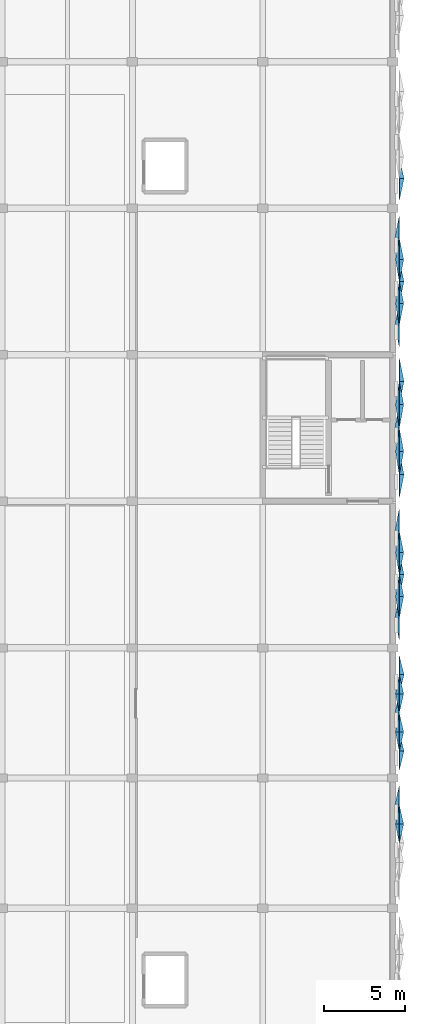
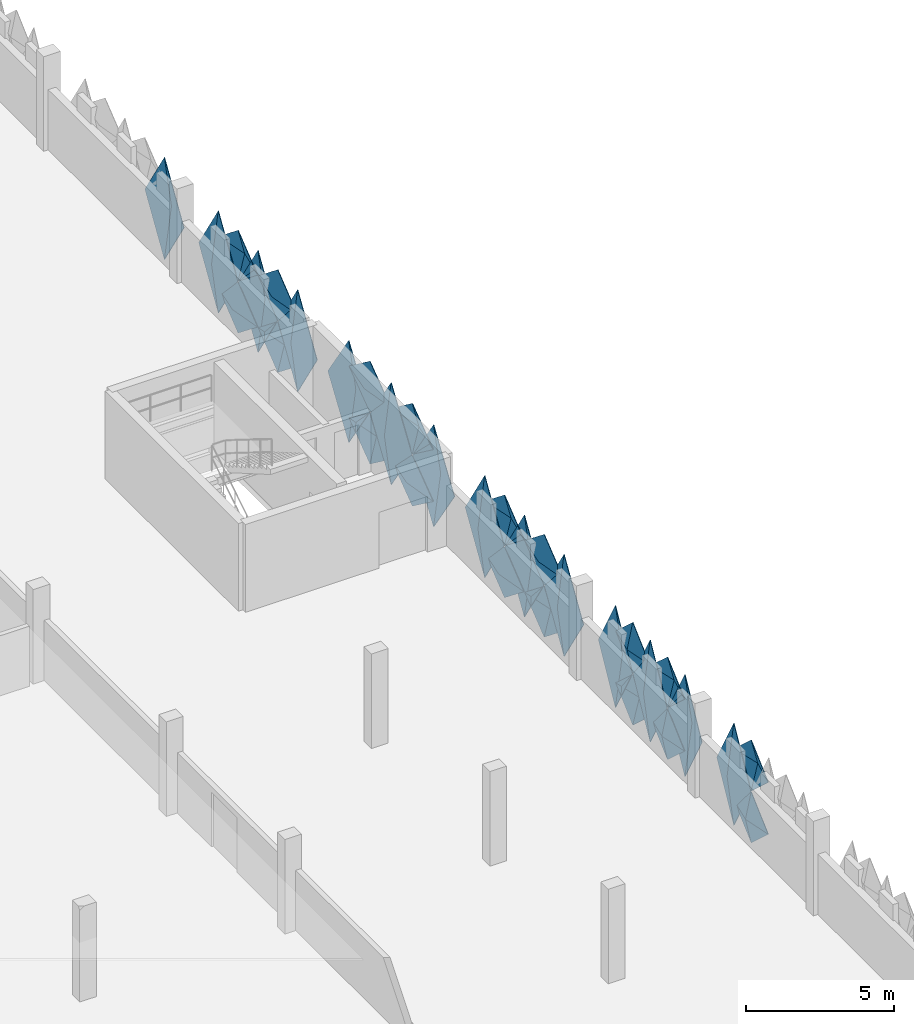
# One storey, part 61 of 76: 32 plates.
"""IFC4 building model written with IfcOpenShell, lengths in metres."""

from ifc_helpers import new_model, si_unit, derived_unit, direction, frame, origin, place, context, subcontext, project, spatial, polygons, material, layer, layer_set, type_object, element, save


model = new_model("IFC4")

# Units and contexts
model_context = context("Model", 3, precision=1e-05, world=origin(), true_north=direction((0.0, 1.0)))
body_context = subcontext(model_context, "Body", "Model", "MODEL_VIEW")
ifc_project = project(units=[si_unit("LENGTHUNIT", "METRE"), si_unit("AREAUNIT", "SQUARE_METRE"), si_unit("VOLUMEUNIT", "CUBIC_METRE"), si_unit("PLANEANGLEUNIT", "RADIAN"), si_unit("MASSUNIT", "GRAM", prefix="KILO"), si_unit("THERMODYNAMICTEMPERATUREUNIT", "KELVIN"), derived_unit("THERMALTRANSMITTANCEUNIT", [(si_unit("POWERUNIT", "WATT"), 1), (si_unit("AREAUNIT", "SQUARE_METRE"), -1), (si_unit("THERMODYNAMICTEMPERATUREUNIT", "KELVIN"), -1)])], contexts=[model_context])

# Site, building, storey
site_placement = place(None, origin())
site = spatial("IfcSite", under=ifc_project, at=site_placement, CompositionType="ELEMENT")
building_placement = place(site_placement, origin())
building = spatial("IfcBuilding", under=site, at=building_placement, Name="Haiyu Intermodal Mobility Hub", CompositionType="ELEMENT")
storey_placement = place(building_placement, frame((0.0, 0.0, 17.300048828125)))
storey = spatial("IfcBuildingStorey", under=building, at=storey_placement, Name="L04", CompositionType="ELEMENT", Elevation=17.300048828125)

# Plates
ifc_material = material(Name="Anodised aluminium 6063-T6", Category="aluminium")
ifc_layer_1 = layer(ifc_material, 0.01806640625)
ifc_layer_set_1 = layer_set([ifc_layer_1], Name="Anodised aluminium 6063-T6")
plate_type_1 = type_object("IfcPlateType", Name="PLT-FC01", PredefinedType="USERDEFINED", material=ifc_layer_set_1)
plate_1_placement = place(storey_placement, origin())
element("IfcPlate", 1, at=plate_1_placement, inside=storey, type_object=plate_type_1, Name="PLT-PYR-1288", ObjectType="FACADE CASSETTE", PredefinedType="USERDEFINED", context=body_context, shape_type="Tessellation", body=[
    polygons([(210.39990234375, 97.653076171875, -0.510009765625), (210.39990234375, 98.806884765625, 1.599853515625), (210.39990234375, 97.653076171875, 3.7099609375), (210.39990234375, 96.5, 1.599853515625), (210.679931640625, 97.653076171875, 1.599853515625), (210.3779296875, 97.653076171875, -0.510009765625), (210.3779296875, 98.806884765625, 1.599853515625), (210.3779296875, 97.653076171875, 3.7099609375), (210.3779296875, 96.5, 1.599853515625), (210.657958984375, 97.653076171875, 1.599853515625)], [[[1, 2, 5]], [[2, 3, 5]], [[3, 4, 5]], [[4, 1, 5]], [[7, 6, 10]], [[8, 7, 10]], [[9, 8, 10]], [[6, 9, 10]], [[1, 6, 7, 2]], [[2, 7, 8, 3]], [[3, 8, 9, 4]], [[4, 9, 6, 1]]], closed=True),
])
plate_2_placement = place(storey_placement, origin())
element("IfcPlate", 2, at=plate_2_placement, inside=storey, type_object=plate_type_1, Name="PLT-PYR-1292", ObjectType="FACADE CASSETTE", PredefinedType="USERDEFINED", context=body_context, shape_type="Tessellation", body=[
    polygons([(210.39990234375, 101.173095703125, -0.52001953125), (210.39990234375, 102.326904296875, 0.530029296875), (210.39990234375, 101.173095703125, 1.579833984375), (210.39990234375, 100.02001953125, 0.530029296875), (210.659912109375, 101.173095703125, 0.530029296875), (210.3779296875, 101.173095703125, -0.52001953125), (210.3779296875, 102.326904296875, 0.530029296875), (210.3779296875, 101.173095703125, 1.579833984375), (210.3779296875, 100.02001953125, 0.530029296875), (210.637939453125, 101.173095703125, 0.530029296875)], [[[1, 2, 5]], [[2, 3, 5]], [[3, 4, 5]], [[4, 1, 5]], [[7, 6, 10]], [[8, 7, 10]], [[9, 8, 10]], [[6, 9, 10]], [[1, 6, 7, 2]], [[2, 7, 8, 3]], [[3, 8, 9, 4]], [[4, 9, 6, 1]]], closed=True),
])
plate_3_placement = place(storey_placement, origin())
element("IfcPlate", 3, at=plate_3_placement, inside=storey, type_object=plate_type_1, Name="PLT-PYR-1296", ObjectType="FACADE CASSETTE", PredefinedType="USERDEFINED", context=body_context, shape_type="Tessellation", body=[
    polygons([(210.39990234375, 107.159912109375, -0.52001953125), (210.39990234375, 108.47998046875, 0.530029296875), (210.39990234375, 107.159912109375, 1.579833984375), (210.39990234375, 105.840087890625, 0.530029296875), (210.659912109375, 107.159912109375, 0.530029296875), (210.3779296875, 107.159912109375, -0.52001953125), (210.3779296875, 108.47998046875, 0.530029296875), (210.3779296875, 107.159912109375, 1.579833984375), (210.3779296875, 105.840087890625, 0.530029296875), (210.637939453125, 107.159912109375, 0.530029296875)], [[[1, 2, 5]], [[2, 3, 5]], [[3, 4, 5]], [[4, 1, 5]], [[7, 6, 10]], [[8, 7, 10]], [[9, 8, 10]], [[6, 9, 10]], [[1, 6, 7, 2]], [[2, 7, 8, 3]], [[3, 8, 9, 4]], [[4, 9, 6, 1]]], closed=True),
])
plate_4_placement = place(storey_placement, origin())
element("IfcPlate", 4, at=plate_4_placement, inside=storey, type_object=plate_type_1, Name="PLT-PYR-1303", ObjectType="FACADE CASSETTE", PredefinedType="USERDEFINED", context=body_context, shape_type="Tessellation", body=[
    polygons([(210.39990234375, 125.159912109375, -0.52001953125), (210.39990234375, 126.47998046875, 0.530029296875), (210.39990234375, 125.159912109375, 1.579833984375), (210.39990234375, 123.840087890625, 0.530029296875), (210.659912109375, 125.159912109375, 0.530029296875), (210.3779296875, 125.159912109375, -0.52001953125), (210.3779296875, 126.47998046875, 0.530029296875), (210.3779296875, 125.159912109375, 1.579833984375), (210.3779296875, 123.840087890625, 0.530029296875), (210.637939453125, 125.159912109375, 0.530029296875)], [[[1, 2, 5]], [[2, 3, 5]], [[3, 4, 5]], [[4, 1, 5]], [[7, 6, 10]], [[8, 7, 10]], [[9, 8, 10]], [[6, 9, 10]], [[1, 6, 7, 2]], [[2, 7, 8, 3]], [[3, 8, 9, 4]], [[4, 9, 6, 1]]], closed=True),
])
plate_5_placement = place(storey_placement, origin())
element("IfcPlate", 5, at=plate_5_placement, inside=storey, type_object=plate_type_1, Name="PLT-PYR-1309", ObjectType="FACADE CASSETTE", PredefinedType="USERDEFINED", context=body_context, shape_type="Tessellation", body=[
    polygons([(210.39990234375, 132.820068359375, -0.510009765625), (210.39990234375, 134.139892578125, 1.599853515625), (210.39990234375, 132.820068359375, 3.7099609375), (210.39990234375, 131.5, 1.599853515625), (210.679931640625, 132.820068359375, 1.599853515625), (210.3779296875, 132.820068359375, -0.510009765625), (210.3779296875, 134.139892578125, 1.599853515625), (210.3779296875, 132.820068359375, 3.7099609375), (210.3779296875, 131.5, 1.599853515625), (210.657958984375, 132.820068359375, 1.599853515625)], [[[1, 2, 5]], [[2, 3, 5]], [[3, 4, 5]], [[4, 1, 5]], [[7, 6, 10]], [[8, 7, 10]], [[9, 8, 10]], [[6, 9, 10]], [[1, 6, 7, 2]], [[2, 7, 8, 3]], [[3, 8, 9, 4]], [[4, 9, 6, 1]]], closed=True),
])
plate_6_placement = place(storey_placement, origin())
element("IfcPlate", 6, at=plate_6_placement, inside=storey, type_object=plate_type_1, Name="PLT-PYR-1409", ObjectType="FACADE CASSETTE", PredefinedType="USERDEFINED", context=body_context, shape_type="Tessellation", body=[
    polygons([(210.39990234375, 114.633056640625, -0.510009765625), (210.39990234375, 116.047119140625, 1.599853515625), (210.39990234375, 114.633056640625, 3.7099609375), (210.39990234375, 113.219970703125, 1.599853515625), (210.679931640625, 114.633056640625, 1.599853515625), (210.3779296875, 114.633056640625, -0.510009765625), (210.3779296875, 116.047119140625, 1.599853515625), (210.3779296875, 114.633056640625, 3.7099609375), (210.3779296875, 113.219970703125, 1.599853515625), (210.657958984375, 114.633056640625, 1.599853515625)], [[[1, 2, 5]], [[2, 3, 5]], [[3, 4, 5]], [[4, 1, 5]], [[7, 6, 10]], [[8, 7, 10]], [[9, 8, 10]], [[6, 9, 10]], [[1, 6, 7, 2]], [[2, 7, 8, 3]], [[3, 8, 9, 4]], [[4, 9, 6, 1]]], closed=True),
])
plate_7_placement = place(storey_placement, origin())
element("IfcPlate", 7, at=plate_7_placement, inside=storey, type_object=plate_type_1, Name="PLT-PYR-1413", ObjectType="FACADE CASSETTE", PredefinedType="USERDEFINED", context=body_context, shape_type="Tessellation", body=[
    polygons([(210.39990234375, 118.93310546875, -0.52001953125), (210.39990234375, 120.346923828125, 0.530029296875), (210.39990234375, 118.93310546875, 1.579833984375), (210.39990234375, 117.52001953125, 0.530029296875), (210.659912109375, 118.93310546875, 0.530029296875), (210.3779296875, 118.93310546875, -0.52001953125), (210.3779296875, 120.346923828125, 0.530029296875), (210.3779296875, 118.93310546875, 1.579833984375), (210.3779296875, 117.52001953125, 0.530029296875), (210.637939453125, 118.93310546875, 0.530029296875)], [[[1, 2, 5]], [[2, 3, 5]], [[3, 4, 5]], [[4, 1, 5]], [[7, 6, 10]], [[8, 7, 10]], [[9, 8, 10]], [[6, 9, 10]], [[1, 6, 7, 2]], [[2, 7, 8, 3]], [[3, 8, 9, 4]], [[4, 9, 6, 1]]], closed=True),
])
ifc_layer_2 = layer(ifc_material, 0.02001953125)
ifc_layer_set_2 = layer_set([ifc_layer_2], Name="Anodised aluminium 6063-T6")
plate_type_2 = type_object("IfcPlateType", Name="PLT-FC02", PredefinedType="USERDEFINED", material=ifc_layer_set_2)
plate_8_placement = place(storey_placement, origin())
element("IfcPlate", 8, at=plate_8_placement, inside=storey, type_object=plate_type_2, Name="PLT-PYR-1285", ObjectType="FACADE CASSETTE", PredefinedType="USERDEFINED", context=body_context, shape_type="Tessellation", body=[
    polygons([(210.39990234375, 93.173095703125, -0.52001953125), (210.39990234375, 94.326904296875, 0.530029296875), (210.39990234375, 93.173095703125, 1.579833984375), (210.39990234375, 92.02001953125, 0.530029296875), (210.179931640625, 93.173095703125, 0.530029296875), (210.3779296875, 93.173095703125, -0.52001953125), (210.3779296875, 94.326904296875, 0.530029296875), (210.3779296875, 93.173095703125, 1.579833984375), (210.3779296875, 92.02001953125, 0.530029296875), (210.157958984375, 93.173095703125, 0.530029296875)], [[[1, 2, 5]], [[2, 3, 5]], [[3, 4, 5]], [[4, 1, 5]], [[7, 6, 10]], [[8, 7, 10]], [[9, 8, 10]], [[6, 9, 10]], [[1, 6, 7, 2]], [[2, 7, 8, 3]], [[3, 8, 9, 4]], [[4, 9, 6, 1]]], closed=True),
])
plate_9_placement = place(storey_placement, origin())
element("IfcPlate", 9, at=plate_9_placement, inside=storey, type_object=plate_type_2, Name="PLT-PYR-1289", ObjectType="FACADE CASSETTE", PredefinedType="USERDEFINED", context=body_context, shape_type="Tessellation", body=[
    polygons([(210.39990234375, 98.826904296875, -0.52001953125), (210.39990234375, 99.97998046875, 0.530029296875), (210.39990234375, 98.826904296875, 1.579833984375), (210.39990234375, 97.673095703125, 0.530029296875), (210.179931640625, 98.826904296875, 0.530029296875), (210.3779296875, 98.826904296875, -0.52001953125), (210.3779296875, 99.97998046875, 0.530029296875), (210.3779296875, 98.826904296875, 1.579833984375), (210.3779296875, 97.673095703125, 0.530029296875), (210.157958984375, 98.826904296875, 0.530029296875)], [[[1, 2, 5]], [[2, 3, 5]], [[3, 4, 5]], [[4, 1, 5]], [[7, 6, 10]], [[8, 7, 10]], [[9, 8, 10]], [[6, 9, 10]], [[1, 6, 7, 2]], [[2, 7, 8, 3]], [[3, 8, 9, 4]], [[4, 9, 6, 1]]], closed=True),
])
plate_10_placement = place(storey_placement, origin())
element("IfcPlate", 10, at=plate_10_placement, inside=storey, type_object=plate_type_2, Name="PLT-PYR-1295", ObjectType="FACADE CASSETTE", PredefinedType="USERDEFINED", context=body_context, shape_type="Tessellation", body=[
    polygons([(210.39990234375, 105.820068359375, -0.510009765625), (210.39990234375, 107.139892578125, 1.599853515625), (210.39990234375, 105.820068359375, 3.7099609375), (210.39990234375, 104.5, 1.599853515625), (210.139892578125, 105.820068359375, 1.599853515625), (210.3779296875, 105.820068359375, -0.510009765625), (210.3779296875, 107.139892578125, 1.599853515625), (210.3779296875, 105.820068359375, 3.7099609375), (210.3779296875, 104.5, 1.599853515625), (210.117919921875, 105.820068359375, 1.599853515625)], [[[1, 2, 5]], [[2, 3, 5]], [[3, 4, 5]], [[4, 1, 5]], [[7, 6, 10]], [[8, 7, 10]], [[9, 8, 10]], [[6, 9, 10]], [[1, 6, 7, 2]], [[2, 7, 8, 3]], [[3, 8, 9, 4]], [[4, 9, 6, 1]]], closed=True),
])
plate_11_placement = place(storey_placement, origin())
element("IfcPlate", 11, at=plate_11_placement, inside=storey, type_object=plate_type_2, Name="PLT-PYR-1299", ObjectType="FACADE CASSETTE", PredefinedType="USERDEFINED", context=body_context, shape_type="Tessellation", body=[
    polygons([(210.39990234375, 109.840087890625, -0.52001953125), (210.39990234375, 111.159912109375, 0.530029296875), (210.39990234375, 109.840087890625, 1.579833984375), (210.39990234375, 108.52001953125, 0.530029296875), (210.179931640625, 109.840087890625, 0.530029296875), (210.3779296875, 109.840087890625, -0.52001953125), (210.3779296875, 111.159912109375, 0.530029296875), (210.3779296875, 109.840087890625, 1.579833984375), (210.3779296875, 108.52001953125, 0.530029296875), (210.157958984375, 109.840087890625, 0.530029296875)], [[[1, 2, 5]], [[2, 3, 5]], [[3, 4, 5]], [[4, 1, 5]], [[7, 6, 10]], [[8, 7, 10]], [[9, 8, 10]], [[6, 9, 10]], [[1, 6, 7, 2]], [[2, 7, 8, 3]], [[3, 8, 9, 4]], [[4, 9, 6, 1]]], closed=True),
])
plate_12_placement = place(storey_placement, origin())
element("IfcPlate", 12, at=plate_12_placement, inside=storey, type_object=plate_type_2, Name="PLT-PYR-1302", ObjectType="FACADE CASSETTE", PredefinedType="USERDEFINED", context=body_context, shape_type="Tessellation", body=[
    polygons([(210.39990234375, 123.820068359375, -0.510009765625), (210.39990234375, 125.139892578125, 1.599853515625), (210.39990234375, 123.820068359375, 3.7099609375), (210.39990234375, 122.5, 1.599853515625), (210.139892578125, 123.820068359375, 1.599853515625), (210.3779296875, 123.820068359375, -0.510009765625), (210.3779296875, 125.139892578125, 1.599853515625), (210.3779296875, 123.820068359375, 3.7099609375), (210.3779296875, 122.5, 1.599853515625), (210.117919921875, 123.820068359375, 1.599853515625)], [[[1, 2, 5]], [[2, 3, 5]], [[3, 4, 5]], [[4, 1, 5]], [[7, 6, 10]], [[8, 7, 10]], [[9, 8, 10]], [[6, 9, 10]], [[1, 6, 7, 2]], [[2, 7, 8, 3]], [[3, 8, 9, 4]], [[4, 9, 6, 1]]], closed=True),
])
plate_13_placement = place(storey_placement, origin())
element("IfcPlate", 13, at=plate_13_placement, inside=storey, type_object=plate_type_2, Name="PLT-PYR-1306", ObjectType="FACADE CASSETTE", PredefinedType="USERDEFINED", context=body_context, shape_type="Tessellation", body=[
    polygons([(210.39990234375, 127.840087890625, -0.52001953125), (210.39990234375, 129.159912109375, 0.530029296875), (210.39990234375, 127.840087890625, 1.579833984375), (210.39990234375, 126.52001953125, 0.530029296875), (210.179931640625, 127.840087890625, 0.530029296875), (210.3779296875, 127.840087890625, -0.52001953125), (210.3779296875, 129.159912109375, 0.530029296875), (210.3779296875, 127.840087890625, 1.579833984375), (210.3779296875, 126.52001953125, 0.530029296875), (210.157958984375, 127.840087890625, 0.530029296875)], [[[1, 2, 5]], [[2, 3, 5]], [[3, 4, 5]], [[4, 1, 5]], [[7, 6, 10]], [[8, 7, 10]], [[9, 8, 10]], [[6, 9, 10]], [[1, 6, 7, 2]], [[2, 7, 8, 3]], [[3, 8, 9, 4]], [[4, 9, 6, 1]]], closed=True),
])
plate_14_placement = place(storey_placement, origin())
element("IfcPlate", 14, at=plate_14_placement, inside=storey, type_object=plate_type_2, Name="PLT-PYR-1410", ObjectType="FACADE CASSETTE", PredefinedType="USERDEFINED", context=body_context, shape_type="Tessellation", body=[
    polygons([(210.39990234375, 116.06689453125, -0.52001953125), (210.39990234375, 117.47998046875, 0.530029296875), (210.39990234375, 116.06689453125, 1.579833984375), (210.39990234375, 114.653076171875, 0.530029296875), (210.179931640625, 116.06689453125, 0.530029296875), (210.3779296875, 116.06689453125, -0.52001953125), (210.3779296875, 117.47998046875, 0.530029296875), (210.3779296875, 116.06689453125, 1.579833984375), (210.3779296875, 114.653076171875, 0.530029296875), (210.157958984375, 116.06689453125, 0.530029296875)], [[[1, 2, 5]], [[2, 3, 5]], [[3, 4, 5]], [[4, 1, 5]], [[7, 6, 10]], [[8, 7, 10]], [[9, 8, 10]], [[6, 9, 10]], [[1, 6, 7, 2]], [[2, 7, 8, 3]], [[3, 8, 9, 4]], [[4, 9, 6, 1]]], closed=True),
])
ifc_layer_3 = layer(ifc_material, 0.01806640625)
ifc_layer_set_3 = layer_set([ifc_layer_3], Name="Anodised aluminium 6063-T6")
plate_type_3 = type_object("IfcPlateType", Name="PLT-FC03", PredefinedType="USERDEFINED", material=ifc_layer_set_3)
plate_15_placement = place(storey_placement, origin())
element("IfcPlate", 15, at=plate_15_placement, inside=storey, type_object=plate_type_3, Name="PLT-PYR-1286", ObjectType="FACADE CASSETTE", PredefinedType="USERDEFINED", context=body_context, shape_type="Tessellation", body=[
    polygons([(210.39990234375, 93.173095703125, 1.619873046875), (210.39990234375, 94.326904296875, 2.669921875), (210.39990234375, 93.173095703125, 3.719970703125), (210.39990234375, 92.02001953125, 2.669921875), (210.659912109375, 93.173095703125, 2.669921875), (210.3779296875, 93.173095703125, 1.619873046875), (210.3779296875, 94.326904296875, 2.669921875), (210.3779296875, 93.173095703125, 3.719970703125), (210.3779296875, 92.02001953125, 2.669921875), (210.637939453125, 93.173095703125, 2.669921875)], [[[1, 2, 5]], [[2, 3, 5]], [[3, 4, 5]], [[4, 1, 5]], [[7, 6, 10]], [[8, 7, 10]], [[9, 8, 10]], [[6, 9, 10]], [[1, 6, 7, 2]], [[2, 7, 8, 3]], [[3, 8, 9, 4]], [[4, 9, 6, 1]]], closed=True),
])
plate_16_placement = place(storey_placement, origin())
element("IfcPlate", 16, at=plate_16_placement, inside=storey, type_object=plate_type_3, Name="PLT-PYR-1290", ObjectType="FACADE CASSETTE", PredefinedType="USERDEFINED", context=body_context, shape_type="Tessellation", body=[
    polygons([(210.39990234375, 98.826904296875, 1.619873046875), (210.39990234375, 99.97998046875, 2.669921875), (210.39990234375, 98.826904296875, 3.719970703125), (210.39990234375, 97.673095703125, 2.669921875), (210.659912109375, 98.826904296875, 2.669921875), (210.3779296875, 98.826904296875, 1.619873046875), (210.3779296875, 99.97998046875, 2.669921875), (210.3779296875, 98.826904296875, 3.719970703125), (210.3779296875, 97.673095703125, 2.669921875), (210.637939453125, 98.826904296875, 2.669921875)], [[[1, 2, 5]], [[2, 3, 5]], [[3, 4, 5]], [[4, 1, 5]], [[7, 6, 10]], [[8, 7, 10]], [[9, 8, 10]], [[6, 9, 10]], [[1, 6, 7, 2]], [[2, 7, 8, 3]], [[3, 8, 9, 4]], [[4, 9, 6, 1]]], closed=True),
])
plate_17_placement = place(storey_placement, origin())
element("IfcPlate", 17, at=plate_17_placement, inside=storey, type_object=plate_type_3, Name="PLT-PYR-1298", ObjectType="FACADE CASSETTE", PredefinedType="USERDEFINED", context=body_context, shape_type="Tessellation", body=[
    polygons([(210.39990234375, 108.5, -0.510009765625), (210.39990234375, 109.820068359375, 1.599853515625), (210.39990234375, 108.5, 3.7099609375), (210.39990234375, 107.179931640625, 1.599853515625), (210.679931640625, 108.5, 1.599853515625), (210.3779296875, 108.5, -0.510009765625), (210.3779296875, 109.820068359375, 1.599853515625), (210.3779296875, 108.5, 3.7099609375), (210.3779296875, 107.179931640625, 1.599853515625), (210.657958984375, 108.5, 1.599853515625)], [[[1, 2, 5]], [[2, 3, 5]], [[3, 4, 5]], [[4, 1, 5]], [[7, 6, 10]], [[8, 7, 10]], [[9, 8, 10]], [[6, 9, 10]], [[1, 6, 7, 2]], [[2, 7, 8, 3]], [[3, 8, 9, 4]], [[4, 9, 6, 1]]], closed=True),
])
plate_18_placement = place(storey_placement, origin())
element("IfcPlate", 18, at=plate_18_placement, inside=storey, type_object=plate_type_3, Name="PLT-PYR-1300", ObjectType="FACADE CASSETTE", PredefinedType="USERDEFINED", context=body_context, shape_type="Tessellation", body=[
    polygons([(210.39990234375, 109.840087890625, 1.619873046875), (210.39990234375, 111.159912109375, 2.669921875), (210.39990234375, 109.840087890625, 3.719970703125), (210.39990234375, 108.52001953125, 2.669921875), (210.659912109375, 109.840087890625, 2.669921875), (210.3779296875, 109.840087890625, 1.619873046875), (210.3779296875, 111.159912109375, 2.669921875), (210.3779296875, 109.840087890625, 3.719970703125), (210.3779296875, 108.52001953125, 2.669921875), (210.637939453125, 109.840087890625, 2.669921875)], [[[1, 2, 5]], [[2, 3, 5]], [[3, 4, 5]], [[4, 1, 5]], [[7, 6, 10]], [[8, 7, 10]], [[9, 8, 10]], [[6, 9, 10]], [[1, 6, 7, 2]], [[2, 7, 8, 3]], [[3, 8, 9, 4]], [[4, 9, 6, 1]]], closed=True),
])
plate_19_placement = place(storey_placement, origin())
element("IfcPlate", 19, at=plate_19_placement, inside=storey, type_object=plate_type_3, Name="PLT-PYR-1305", ObjectType="FACADE CASSETTE", PredefinedType="USERDEFINED", context=body_context, shape_type="Tessellation", body=[
    polygons([(210.39990234375, 126.5, -0.510009765625), (210.39990234375, 127.820068359375, 1.599853515625), (210.39990234375, 126.5, 3.7099609375), (210.39990234375, 125.179931640625, 1.599853515625), (210.679931640625, 126.5, 1.599853515625), (210.3779296875, 126.5, -0.510009765625), (210.3779296875, 127.820068359375, 1.599853515625), (210.3779296875, 126.5, 3.7099609375), (210.3779296875, 125.179931640625, 1.599853515625), (210.657958984375, 126.5, 1.599853515625)], [[[1, 2, 5]], [[2, 3, 5]], [[3, 4, 5]], [[4, 1, 5]], [[7, 6, 10]], [[8, 7, 10]], [[9, 8, 10]], [[6, 9, 10]], [[1, 6, 7, 2]], [[2, 7, 8, 3]], [[3, 8, 9, 4]], [[4, 9, 6, 1]]], closed=True),
])
plate_20_placement = place(storey_placement, origin())
element("IfcPlate", 20, at=plate_20_placement, inside=storey, type_object=plate_type_3, Name="PLT-PYR-1307", ObjectType="FACADE CASSETTE", PredefinedType="USERDEFINED", context=body_context, shape_type="Tessellation", body=[
    polygons([(210.39990234375, 127.840087890625, 1.619873046875), (210.39990234375, 129.159912109375, 2.669921875), (210.39990234375, 127.840087890625, 3.719970703125), (210.39990234375, 126.52001953125, 2.669921875), (210.659912109375, 127.840087890625, 2.669921875), (210.3779296875, 127.840087890625, 1.619873046875), (210.3779296875, 129.159912109375, 2.669921875), (210.3779296875, 127.840087890625, 3.719970703125), (210.3779296875, 126.52001953125, 2.669921875), (210.637939453125, 127.840087890625, 2.669921875)], [[[1, 2, 5]], [[2, 3, 5]], [[3, 4, 5]], [[4, 1, 5]], [[7, 6, 10]], [[8, 7, 10]], [[9, 8, 10]], [[6, 9, 10]], [[1, 6, 7, 2]], [[2, 7, 8, 3]], [[3, 8, 9, 4]], [[4, 9, 6, 1]]], closed=True),
])
plate_21_placement = place(storey_placement, origin())
element("IfcPlate", 21, at=plate_21_placement, inside=storey, type_object=plate_type_3, Name="PLT-PYR-1411", ObjectType="FACADE CASSETTE", PredefinedType="USERDEFINED", context=body_context, shape_type="Tessellation", body=[
    polygons([(210.39990234375, 116.06689453125, 1.619873046875), (210.39990234375, 117.47998046875, 2.669921875), (210.39990234375, 116.06689453125, 3.719970703125), (210.39990234375, 114.653076171875, 2.669921875), (210.659912109375, 116.06689453125, 2.669921875), (210.3779296875, 116.06689453125, 1.619873046875), (210.3779296875, 117.47998046875, 2.669921875), (210.3779296875, 116.06689453125, 3.719970703125), (210.3779296875, 114.653076171875, 2.669921875), (210.637939453125, 116.06689453125, 2.669921875)], [[[1, 2, 5]], [[2, 3, 5]], [[3, 4, 5]], [[4, 1, 5]], [[7, 6, 10]], [[8, 7, 10]], [[9, 8, 10]], [[6, 9, 10]], [[1, 6, 7, 2]], [[2, 7, 8, 3]], [[3, 8, 9, 4]], [[4, 9, 6, 1]]], closed=True),
])
ifc_layer_4 = layer(ifc_material, 0.02001953125)
ifc_layer_set_4 = layer_set([ifc_layer_4], Name="Anodised aluminium 6063-T6")
plate_type_4 = type_object("IfcPlateType", Name="PLT-FC04", PredefinedType="USERDEFINED", material=ifc_layer_set_4)
plate_22_placement = place(storey_placement, origin())
element("IfcPlate", 22, at=plate_22_placement, inside=storey, type_object=plate_type_4, Name="PLT-PYR-1291", ObjectType="FACADE CASSETTE", PredefinedType="USERDEFINED", context=body_context, shape_type="Tessellation", body=[
    polygons([(210.39990234375, 100.0, -0.510009765625), (210.39990234375, 101.153076171875, 1.599853515625), (210.39990234375, 100.0, 3.7099609375), (210.39990234375, 98.846923828125, 1.599853515625), (210.139892578125, 100.0, 1.599853515625), (210.3779296875, 100.0, -0.510009765625), (210.3779296875, 101.153076171875, 1.599853515625), (210.3779296875, 100.0, 3.7099609375), (210.3779296875, 98.846923828125, 1.599853515625), (210.117919921875, 100.0, 1.599853515625)], [[[1, 2, 5]], [[2, 3, 5]], [[3, 4, 5]], [[4, 1, 5]], [[7, 6, 10]], [[8, 7, 10]], [[9, 8, 10]], [[6, 9, 10]], [[1, 6, 7, 2]], [[2, 7, 8, 3]], [[3, 8, 9, 4]], [[4, 9, 6, 1]]], closed=True),
])
plate_23_placement = place(storey_placement, origin())
element("IfcPlate", 23, at=plate_23_placement, inside=storey, type_object=plate_type_4, Name="PLT-PYR-1293", ObjectType="FACADE CASSETTE", PredefinedType="USERDEFINED", context=body_context, shape_type="Tessellation", body=[
    polygons([(210.39990234375, 101.173095703125, 1.619873046875), (210.39990234375, 102.326904296875, 2.669921875), (210.39990234375, 101.173095703125, 3.719970703125), (210.39990234375, 100.02001953125, 2.669921875), (210.179931640625, 101.173095703125, 2.669921875), (210.3779296875, 101.173095703125, 1.619873046875), (210.3779296875, 102.326904296875, 2.669921875), (210.3779296875, 101.173095703125, 3.719970703125), (210.3779296875, 100.02001953125, 2.669921875), (210.157958984375, 101.173095703125, 2.669921875)], [[[1, 2, 5]], [[2, 3, 5]], [[3, 4, 5]], [[4, 1, 5]], [[7, 6, 10]], [[8, 7, 10]], [[9, 8, 10]], [[6, 9, 10]], [[1, 6, 7, 2]], [[2, 7, 8, 3]], [[3, 8, 9, 4]], [[4, 9, 6, 1]]], closed=True),
])
plate_24_placement = place(storey_placement, origin())
element("IfcPlate", 24, at=plate_24_placement, inside=storey, type_object=plate_type_4, Name="PLT-PYR-1297", ObjectType="FACADE CASSETTE", PredefinedType="USERDEFINED", context=body_context, shape_type="Tessellation", body=[
    polygons([(210.39990234375, 107.159912109375, 1.619873046875), (210.39990234375, 108.47998046875, 2.669921875), (210.39990234375, 107.159912109375, 3.719970703125), (210.39990234375, 105.840087890625, 2.669921875), (210.179931640625, 107.159912109375, 2.669921875), (210.3779296875, 107.159912109375, 1.619873046875), (210.3779296875, 108.47998046875, 2.669921875), (210.3779296875, 107.159912109375, 3.719970703125), (210.3779296875, 105.840087890625, 2.669921875), (210.157958984375, 107.159912109375, 2.669921875)], [[[1, 2, 5]], [[2, 3, 5]], [[3, 4, 5]], [[4, 1, 5]], [[7, 6, 10]], [[8, 7, 10]], [[9, 8, 10]], [[6, 9, 10]], [[1, 6, 7, 2]], [[2, 7, 8, 3]], [[3, 8, 9, 4]], [[4, 9, 6, 1]]], closed=True),
])
plate_25_placement = place(storey_placement, origin())
element("IfcPlate", 25, at=plate_25_placement, inside=storey, type_object=plate_type_4, Name="PLT-PYR-1304", ObjectType="FACADE CASSETTE", PredefinedType="USERDEFINED", context=body_context, shape_type="Tessellation", body=[
    polygons([(210.39990234375, 125.159912109375, 1.619873046875), (210.39990234375, 126.47998046875, 2.669921875), (210.39990234375, 125.159912109375, 3.719970703125), (210.39990234375, 123.840087890625, 2.669921875), (210.179931640625, 125.159912109375, 2.669921875), (210.3779296875, 125.159912109375, 1.619873046875), (210.3779296875, 126.47998046875, 2.669921875), (210.3779296875, 125.159912109375, 3.719970703125), (210.3779296875, 123.840087890625, 2.669921875), (210.157958984375, 125.159912109375, 2.669921875)], [[[1, 2, 5]], [[2, 3, 5]], [[3, 4, 5]], [[4, 1, 5]], [[7, 6, 10]], [[8, 7, 10]], [[9, 8, 10]], [[6, 9, 10]], [[1, 6, 7, 2]], [[2, 7, 8, 3]], [[3, 8, 9, 4]], [[4, 9, 6, 1]]], closed=True),
])
plate_26_placement = place(storey_placement, origin())
element("IfcPlate", 26, at=plate_26_placement, inside=storey, type_object=plate_type_4, Name="PLT-PYR-1412", ObjectType="FACADE CASSETTE", PredefinedType="USERDEFINED", context=body_context, shape_type="Tessellation", body=[
    polygons([(210.39990234375, 117.5, -0.510009765625), (210.39990234375, 118.9130859375, 1.599853515625), (210.39990234375, 117.5, 3.7099609375), (210.39990234375, 116.0869140625, 1.599853515625), (210.139892578125, 117.5, 1.599853515625), (210.3779296875, 117.5, -0.510009765625), (210.3779296875, 118.9130859375, 1.599853515625), (210.3779296875, 117.5, 3.7099609375), (210.3779296875, 116.0869140625, 1.599853515625), (210.117919921875, 117.5, 1.599853515625)], [[[1, 2, 5]], [[2, 3, 5]], [[3, 4, 5]], [[4, 1, 5]], [[7, 6, 10]], [[8, 7, 10]], [[9, 8, 10]], [[6, 9, 10]], [[1, 6, 7, 2]], [[2, 7, 8, 3]], [[3, 8, 9, 4]], [[4, 9, 6, 1]]], closed=True),
])
plate_27_placement = place(storey_placement, origin())
element("IfcPlate", 27, at=plate_27_placement, inside=storey, type_object=plate_type_4, Name="PLT-PYR-1414", ObjectType="FACADE CASSETTE", PredefinedType="USERDEFINED", context=body_context, shape_type="Tessellation", body=[
    polygons([(210.39990234375, 118.93310546875, 1.619873046875), (210.39990234375, 120.346923828125, 2.669921875), (210.39990234375, 118.93310546875, 3.719970703125), (210.39990234375, 117.52001953125, 2.669921875), (210.179931640625, 118.93310546875, 2.669921875), (210.3779296875, 118.93310546875, 1.619873046875), (210.3779296875, 120.346923828125, 2.669921875), (210.3779296875, 118.93310546875, 3.719970703125), (210.3779296875, 117.52001953125, 2.669921875), (210.157958984375, 118.93310546875, 2.669921875)], [[[1, 2, 5]], [[2, 3, 5]], [[3, 4, 5]], [[4, 1, 5]], [[7, 6, 10]], [[8, 7, 10]], [[9, 8, 10]], [[6, 9, 10]], [[1, 6, 7, 2]], [[2, 7, 8, 3]], [[3, 8, 9, 4]], [[4, 9, 6, 1]]], closed=True),
])
ifc_layer_5 = layer(ifc_material, 0.01806640625)
ifc_layer_set_5 = layer_set([ifc_layer_5], Name="Anodised aluminium 6063-T6")
plate_type_5 = type_object("IfcPlateType", Name="PLT-FC05", PredefinedType="USERDEFINED", material=ifc_layer_set_5)
plate_28_placement = place(storey_placement, origin())
element("IfcPlate", 28, at=plate_28_placement, inside=storey, type_object=plate_type_5, Name="PLT-PYR-1294", ObjectType="FACADE CASSETTE", PredefinedType="USERDEFINED", context=body_context, shape_type="Tessellation", body=[
    polygons([(210.39990234375, 102.346923828125, -0.510009765625), (210.39990234375, 103.5, 1.599853515625), (210.39990234375, 102.346923828125, 3.7099609375), (210.39990234375, 101.193115234375, 1.599853515625), (210.679931640625, 102.346923828125, 1.599853515625), (210.3779296875, 102.346923828125, -0.510009765625), (210.3779296875, 103.5, 1.599853515625), (210.3779296875, 102.346923828125, 3.7099609375), (210.3779296875, 101.193115234375, 1.599853515625), (210.657958984375, 102.346923828125, 1.599853515625)], [[[1, 2, 5]], [[2, 3, 5]], [[3, 4, 5]], [[4, 1, 5]], [[7, 6, 10]], [[8, 7, 10]], [[9, 8, 10]], [[6, 9, 10]], [[1, 6, 7, 2]], [[2, 7, 8, 3]], [[3, 8, 9, 4]], [[4, 9, 6, 1]]], closed=True),
])
plate_29_placement = place(storey_placement, origin())
element("IfcPlate", 29, at=plate_29_placement, inside=storey, type_object=plate_type_5, Name="PLT-PYR-1415", ObjectType="FACADE CASSETTE", PredefinedType="USERDEFINED", context=body_context, shape_type="Tessellation", body=[
    polygons([(210.39990234375, 120.366943359375, -0.510009765625), (210.39990234375, 121.780029296875, 1.599853515625), (210.39990234375, 120.366943359375, 3.7099609375), (210.39990234375, 118.952880859375, 1.599853515625), (210.679931640625, 120.366943359375, 1.599853515625), (210.3779296875, 120.366943359375, -0.510009765625), (210.3779296875, 121.780029296875, 1.599853515625), (210.3779296875, 120.366943359375, 3.7099609375), (210.3779296875, 118.952880859375, 1.599853515625), (210.657958984375, 120.366943359375, 1.599853515625)], [[[1, 2, 5]], [[2, 3, 5]], [[3, 4, 5]], [[4, 1, 5]], [[7, 6, 10]], [[8, 7, 10]], [[9, 8, 10]], [[6, 9, 10]], [[1, 6, 7, 2]], [[2, 7, 8, 3]], [[3, 8, 9, 4]], [[4, 9, 6, 1]]], closed=True),
])
ifc_layer_6 = layer(ifc_material, 0.02001953125)
ifc_layer_set_6 = layer_set([ifc_layer_6], Name="Anodised aluminium 6063-T6")
plate_type_6 = type_object("IfcPlateType", Name="PLT-FC06", PredefinedType="USERDEFINED", material=ifc_layer_set_6)
plate_30_placement = place(storey_placement, origin())
element("IfcPlate", 30, at=plate_30_placement, inside=storey, type_object=plate_type_6, Name="PLT-PYR-1287", ObjectType="FACADE CASSETTE", PredefinedType="USERDEFINED", context=body_context, shape_type="Tessellation", body=[
    polygons([(210.39990234375, 94.346923828125, -0.510009765625), (210.39990234375, 95.5, 1.599853515625), (210.39990234375, 94.346923828125, 3.7099609375), (210.39990234375, 93.193115234375, 1.599853515625), (210.139892578125, 94.346923828125, 1.599853515625), (210.3779296875, 94.346923828125, -0.510009765625), (210.3779296875, 95.5, 1.599853515625), (210.3779296875, 94.346923828125, 3.7099609375), (210.3779296875, 93.193115234375, 1.599853515625), (210.117919921875, 94.346923828125, 1.599853515625)], [[[1, 2, 5]], [[2, 3, 5]], [[3, 4, 5]], [[4, 1, 5]], [[7, 6, 10]], [[8, 7, 10]], [[9, 8, 10]], [[6, 9, 10]], [[1, 6, 7, 2]], [[2, 7, 8, 3]], [[3, 8, 9, 4]], [[4, 9, 6, 1]]], closed=True),
])
plate_31_placement = place(storey_placement, origin())
element("IfcPlate", 31, at=plate_31_placement, inside=storey, type_object=plate_type_6, Name="PLT-PYR-1301", ObjectType="FACADE CASSETTE", PredefinedType="USERDEFINED", context=body_context, shape_type="Tessellation", body=[
    polygons([(210.39990234375, 111.179931640625, -0.510009765625), (210.39990234375, 112.5, 1.599853515625), (210.39990234375, 111.179931640625, 3.7099609375), (210.39990234375, 109.860107421875, 1.599853515625), (210.139892578125, 111.179931640625, 1.599853515625), (210.3779296875, 111.179931640625, -0.510009765625), (210.3779296875, 112.5, 1.599853515625), (210.3779296875, 111.179931640625, 3.7099609375), (210.3779296875, 109.860107421875, 1.599853515625), (210.117919921875, 111.179931640625, 1.599853515625)], [[[1, 2, 5]], [[2, 3, 5]], [[3, 4, 5]], [[4, 1, 5]], [[7, 6, 10]], [[8, 7, 10]], [[9, 8, 10]], [[6, 9, 10]], [[1, 6, 7, 2]], [[2, 7, 8, 3]], [[3, 8, 9, 4]], [[4, 9, 6, 1]]], closed=True),
])
plate_32_placement = place(storey_placement, origin())
element("IfcPlate", 32, at=plate_32_placement, inside=storey, type_object=plate_type_6, Name="PLT-PYR-1308", ObjectType="FACADE CASSETTE", PredefinedType="USERDEFINED", context=body_context, shape_type="Tessellation", body=[
    polygons([(210.39990234375, 129.179931640625, -0.510009765625), (210.39990234375, 130.5, 1.599853515625), (210.39990234375, 129.179931640625, 3.7099609375), (210.39990234375, 127.860107421875, 1.599853515625), (210.139892578125, 129.179931640625, 1.599853515625), (210.3779296875, 129.179931640625, -0.510009765625), (210.3779296875, 130.5, 1.599853515625), (210.3779296875, 129.179931640625, 3.7099609375), (210.3779296875, 127.860107421875, 1.599853515625), (210.117919921875, 129.179931640625, 1.599853515625)], [[[1, 2, 5]], [[2, 3, 5]], [[3, 4, 5]], [[4, 1, 5]], [[7, 6, 10]], [[8, 7, 10]], [[9, 8, 10]], [[6, 9, 10]], [[1, 6, 7, 2]], [[2, 7, 8, 3]], [[3, 8, 9, 4]], [[4, 9, 6, 1]]], closed=True),
])

save(model, "model.ifc")
